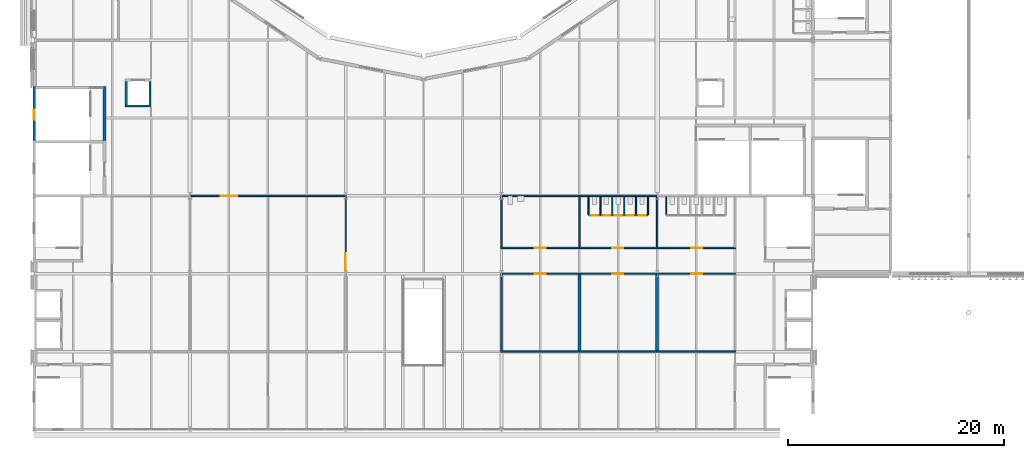
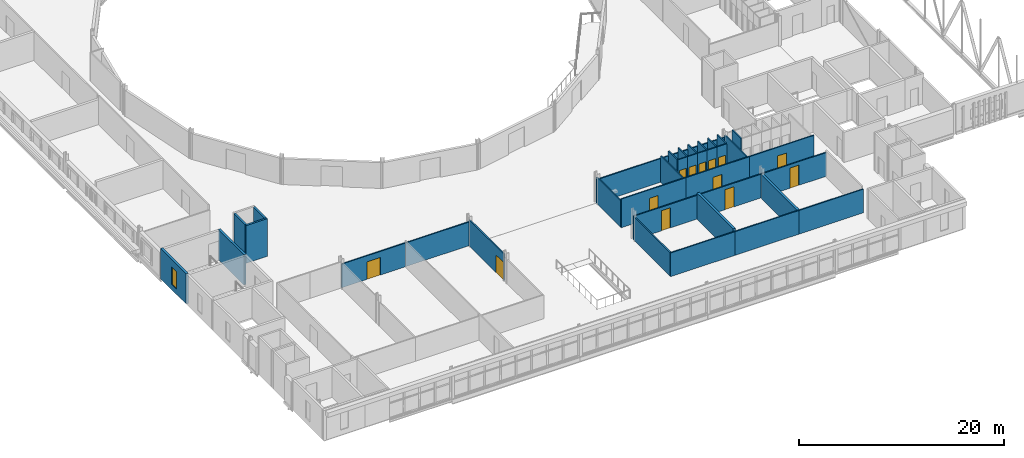
# One storey, part 88 of 142: 37 walls, 13 doors, 1 window, 14 openings.
"""IFC4 building model written with IfcOpenShell, lengths in metres."""

import ifcopenshell
import ifcopenshell.guid

model = None  # the IFC model being written
_history = None  # IfcOwnerHistory: only IFC2X3 demands one
_inside = {}  # id of a spatial element -> (the spatial element, [elements in it])
_under = {}  # id of a project, library or spatial element -> (it, [spatial elements below it])
_declared = {}  # id of a project -> (the project, [libraries it declares])
_typed = {}  # id of a type object -> (the type object, [elements of that type])
_made_of = {}  # id of a material, layer set ... -> (it, [elements and type objects made of it])


def new_model(schema):
    """Start an empty IFC model of exactly this schema.

    Asked for "IFC4X3", IfcOpenShell would pick the latest addendum, in which some entities
    have other attributes; the version numbers below select the first issue.
    IFC2X3 requires an IfcOwnerHistory on every rooted entity: one is made here for all.
    """
    global model, _history
    if schema == "IFC4X3":
        model = ifcopenshell.file(schema_version=(4, 3, 0, 0))
    else:
        model = ifcopenshell.file(schema=schema)
    _inside.clear()
    _under.clear()
    _declared.clear()
    _typed.clear()
    _made_of.clear()
    _history = None
    if model.schema == "IFC2X3":
        org = make("IfcOrganization", Name="unknown")
        user = make(
            "IfcPersonAndOrganization",
            ThePerson=make("IfcPerson", FamilyName="unknown"),
            TheOrganization=org,
        )
        app = make(
            "IfcApplication",
            ApplicationDeveloper=org,
            Version="unknown",
            ApplicationFullName="unknown",
            ApplicationIdentifier="unknown",
        )
        _history = make(
            "IfcOwnerHistory",
            OwningUser=user,
            OwningApplication=app,
            ChangeAction="ADDED",
            CreationDate=0,
        )
    return model


def make(cls, **values):
    """One entity of the class cls with the attributes given. An attribute that is None is left unset."""
    return model.create_entity(
        cls, **{name: value for name, value in values.items() if value is not None}
    )


def rooted(cls, **values):
    """An entity with a GlobalId (a new one), such as an element, a storey or a relation."""
    return make(cls, GlobalId=ifcopenshell.guid.new(), OwnerHistory=_history, **values)


def si_unit(unit_type, name, prefix=None):
    """IfcSIUnit, for example si_unit("LENGTHUNIT", "METRE", prefix="MILLI")."""
    return make("IfcSIUnit", UnitType=unit_type, Prefix=prefix, Name=name)


def assignment(units):
    """IfcUnitAssignment: the units of a project."""
    return None if units is None else make("IfcUnitAssignment", Units=units)


def point(xyz):
    """IfcCartesianPoint."""
    return None if xyz is None else make("IfcCartesianPoint", Coordinates=xyz)


def direction(xyz):
    """IfcDirection."""
    return None if xyz is None else make("IfcDirection", DirectionRatios=xyz)


def frame(location, z_axis=None, x_axis=None):
    """IfcAxis2Placement3D, a coordinate frame: its origin and axes. An axis left out is left unset."""
    return make(
        "IfcAxis2Placement3D",
        Location=point(location),
        Axis=direction(z_axis),
        RefDirection=direction(x_axis),
    )


def frame_2d(location, x_axis=None):
    """IfcAxis2Placement2D, a coordinate frame in the plane: its origin and x axis."""
    return make(
        "IfcAxis2Placement2D", Location=point(location), RefDirection=direction(x_axis)
    )


def origin():
    """The frame at (0, 0, 0) with its axes left unset."""
    return frame((0.0, 0.0, 0.0))


def place(relative_to, where):
    """IfcLocalPlacement: puts the frame where relative to a parent placement (None: the world)."""
    return make(
        "IfcLocalPlacement", PlacementRelTo=relative_to, RelativePlacement=where
    )


def context(
    kind, dimensions, precision=None, world=None, true_north=None, identifier=None
):
    """IfcGeometricRepresentationContext, for example the 3D "Model" context."""
    return make(
        "IfcGeometricRepresentationContext",
        ContextIdentifier=identifier,
        ContextType=kind,
        CoordinateSpaceDimension=dimensions,
        Precision=precision,
        WorldCoordinateSystem=world,
        TrueNorth=true_north,
    )


def subcontext(parent, identifier, kind, view, scale=None):
    """IfcGeometricRepresentationSubContext, for example "Body" below "Model"."""
    return make(
        "IfcGeometricRepresentationSubContext",
        ContextIdentifier=identifier,
        ContextType=kind,
        ParentContext=parent,
        TargetScale=scale,
        TargetView=view,
    )


def project(units=None, contexts=None):
    """IfcProject with its units and contexts."""
    return rooted(
        "IfcProject",
        Name="project",
        RepresentationContexts=contexts,
        UnitsInContext=assignment(units),
    )


def spatial(cls, under=None, at=None, **own):
    """A site, building, storey or space (cls), placed at a placement, below another one or the project."""
    s = rooted(cls, ObjectPlacement=at, **own)
    if under is not None:
        _under.setdefault(under.id(), (under, []))[1].append(s)
    return s


def profile(cls, at=None, kind="AREA", **sizes):
    """A parametric profile (cls). Its sizes go by their IFC names, for example OverallWidth=200.0."""
    return make(cls, ProfileType=kind, Position=at, **sizes)


def rectangle(**sizes):
    """IfcRectangleProfileDef."""
    return profile("IfcRectangleProfileDef", **sizes)


def extrude(swept, where, along, depth):
    """IfcExtrudedAreaSolid: the profile swept, set in the frame where, extruded along a direction by depth."""
    return make(
        "IfcExtrudedAreaSolid",
        SweptArea=swept,
        Position=where,
        ExtrudedDirection=direction(along),
        Depth=depth,
    )


def shape(context_of_items, identifier, shape_type, items):
    """IfcShapeRepresentation: the items that make up one representation, for example the "Body"."""
    return make(
        "IfcShapeRepresentation",
        ContextOfItems=context_of_items,
        RepresentationIdentifier=identifier,
        RepresentationType=shape_type,
        Items=items,
    )


def material(Name=None, Category=None):
    """IfcMaterial."""
    return make("IfcMaterial", Name=Name, Category=Category)


def layer(
    of_material, thickness, ventilated=None, Name=None, Category=None, Priority=None
):
    """IfcMaterialLayer: one layer of a wall or slab, of a material (None: an air gap)."""
    return make(
        "IfcMaterialLayer",
        Material=of_material,
        LayerThickness=thickness,
        IsVentilated=ventilated,
        Name=Name,
        Category=Category,
        Priority=Priority,
    )


def layer_set(layers, Name=None):
    """IfcMaterialLayerSet."""
    return make("IfcMaterialLayerSet", MaterialLayers=layers, LayerSetName=Name)


def made_of(thing, what):
    """Note that an element or type object is made of a material, layer set ...; save() writes the relation."""
    if what is not None:
        _made_of.setdefault(what.id(), (what, []))[1].append(thing)
    return thing


def type_object(cls, material=None, **own):
    """A type object (cls), such as IfcWallType, which elements share."""
    return made_of(rooted(cls, **own), material)


def element(
    cls,
    number,
    at=None,
    inside=None,
    cuts=None,
    type_object=None,
    material=None,
    context=None,
    identifier="Body",
    shape_type=None,
    held_by="IfcProductDefinitionShape",
    body=None,
    shapes=None,
    **own,
):
    """One element of the class cls, such as IfcWall. Its Tag is "e" and its number.

    at: its placement. inside: the storey or other place that contains it. cuts: it is an
    opening in that element (IfcRelVoidsElement). A single representation is given by context,
    identifier, shape_type and body (its items); several are given by shapes. held_by: the class
    of the entity that holds the representations. save() writes the other relations.
    """
    e = rooted(cls, Tag="e%d" % number, ObjectPlacement=at, **own)
    if body is not None:
        shapes = [shape(context, identifier, shape_type, body)]
    if shapes is not None:
        e.Representation = make(held_by, Representations=shapes)
    if inside is not None:
        _inside.setdefault(inside.id(), (inside, []))[1].append(e)
    if cuts is not None:
        rooted(
            "IfcRelVoidsElement", RelatingBuildingElement=cuts, RelatedOpeningElement=e
        )
    if type_object is not None:
        _typed.setdefault(type_object.id(), (type_object, []))[1].append(e)
    return made_of(e, material)


def fill(opening, filler):
    """IfcRelFillsElement: the door or window that sits in an opening."""
    return rooted(
        "IfcRelFillsElement",
        RelatingOpeningElement=opening,
        RelatedBuildingElement=filler,
    )


def aggregate(whole, parts):
    """IfcRelAggregates: a whole, such as a stair, and the parts it consists of."""
    return rooted("IfcRelAggregates", RelatingObject=whole, RelatedObjects=parts)


def save(model, path):
    """Write the relations noted so far, then the file.

    IfcRelAggregates (storeys below a building ...), IfcRelContainedInSpatialStructure (elements
    in a storey), IfcRelDefinesByType, IfcRelAssociatesMaterial and IfcRelDeclares: one each for
    every whole, place, type object, material and project.
    """
    for whole, parts in _under.values():
        aggregate(whole, parts)
    for where, things in _inside.values():
        rooted(
            "IfcRelContainedInSpatialStructure",
            RelatedElements=things,
            RelatingStructure=where,
        )
    for kind, things in _typed.values():
        rooted("IfcRelDefinesByType", RelatedObjects=things, RelatingType=kind)
    for what, things in _made_of.values():
        rooted("IfcRelAssociatesMaterial", RelatedObjects=things, RelatingMaterial=what)
    for by, libraries in _declared.values():
        rooted("IfcRelDeclares", RelatingContext=by, RelatedDefinitions=libraries)
    model.write(path)


model = new_model("IFC4")

# Units and contexts
model_context = context("Model", 3, precision=1e-05, world=origin(), true_north=direction((0.0, 1.0)))
body_context = subcontext(model_context, "Body", "Model", "MODEL_VIEW")
ifc_project = project(units=[si_unit("LENGTHUNIT", "METRE"), si_unit("AREAUNIT", "SQUARE_METRE"), si_unit("VOLUMEUNIT", "CUBIC_METRE"), si_unit("PLANEANGLEUNIT", "RADIAN"), si_unit("MASSUNIT", "GRAM", prefix="KILO")], contexts=[model_context])

# Site, building, storey
site_placement = place(None, origin())
site = spatial("IfcSite", under=ifc_project, at=site_placement, CompositionType="ELEMENT")
building_placement = place(site_placement, origin())
building = spatial("IfcBuilding", under=site, at=building_placement, Name="Kupolbacken Congress Centre", CompositionType="ELEMENT")
storey_placement = place(building_placement, frame((0.0, 0.0, 14.39990234375)))
storey = spatial("IfcBuildingStorey", under=building, at=storey_placement, Name="L04", CompositionType="ELEMENT", Elevation=14.39990234375)

# Wall, opening, door
ifc_material_1 = material(Name="Gypsum board", Category="drywall")
ifc_layer_1 = layer(ifc_material_1, 0.114990234375)
ifc_layer_set_1 = layer_set([ifc_layer_1], Name="Gypsum board")
wall_type_1 = type_object("IfcWallType", Name="P04 partition 115", PredefinedType="PARTITIONING", material=ifc_layer_set_1)
wall_1_placement = place(storey_placement, frame((58.449951171875, 48.60009765625, 0.0), z_axis=(0.0, 0.0, 1.0), x_axis=(1.0, 0.0, 0.0)))
wall_1 = element("IfcWall", 1, at=wall_1_placement, inside=storey, type_object=wall_type_1, Name="PD/L04/F-WC-02/cub01/F", PredefinedType="PARTITIONING", context=body_context, shape_type="SweptSolid", body=[
    extrude(rectangle(XDim=1.10009765625, YDim=0.114990234375, at=frame_2d((0.550048828125, 0.0))), origin(), (0.0, 0.0, 1.0), 3.420166015625),
])
opening_1_placement = place(wall_1_placement, frame((0.14990234375, 0.0, 0.0)))
opening_1 = element("IfcOpeningElement", 2, at=opening_1_placement, cuts=wall_1, Name="Opening 4.WF95", PredefinedType="OPENING", context=body_context, shape_type="SweptSolid", body=[
    extrude(rectangle(XDim=0.800048828125, YDim=2.10009765625, at=frame_2d((0.39990234375, 1.050048828125))), frame((0.0, 0.0673828125, 0.0), z_axis=(0.0, -1.0, 0.0), x_axis=(1.0, 0.0, 0.0)), (0.0, 0.0, 1.0), 0.135009765625),
])
ifc_material_2 = material(Name="Timber door leaf", Category="wood")
door_type_1 = type_object("IfcDoorType", Name="D2 door 800x2100", OperationType="SINGLE_SWING_LEFT", PredefinedType="DOOR", material=ifc_material_2)
door_1_placement = place(opening_1_placement, origin())
door_1 = element("IfcDoor", 3, at=door_1_placement, inside=storey, type_object=door_type_1, Name="PD/L04/F-WC-02/cub01/F/DC", OperationType="SINGLE_SWING_RIGHT", OverallHeight=2.10009765625, OverallWidth=0.800048828125, PredefinedType="DOOR", context=body_context, shape_type="SweptSolid", body=[
    extrude(rectangle(XDim=0.800048828125, YDim=2.10009765625, at=frame_2d((0.39990234375, 1.050048828125))), frame((0.0, 0.02490234375, 0.0), z_axis=(0.0, -1.0, 0.0), x_axis=(1.0, 0.0, 0.0)), (0.0, 0.0, 1.0), 0.050048828125),
])
fill(opening_1, door_1)

# Wall
wall_2_placement = place(storey_placement, frame((58.449951171875, 50.342529296875, 0.0), z_axis=(0.0, 0.0, 1.0), x_axis=(0.0, -1.0, 0.0)))
element("IfcWall", 4, at=wall_2_placement, inside=storey, type_object=wall_type_1, Name="PD/L04/F-WC-02/cub01/a", PredefinedType="PARTITIONING", context=body_context, shape_type="SweptSolid", body=[
    extrude(rectangle(XDim=1.68505859375, YDim=0.114990234375, at=frame_2d((0.842529296875, 0.0))), origin(), (0.0, 0.0, 1.0), 3.420166015625),
])

# Wall, opening, door
wall_3_placement = place(storey_placement, frame((59.550048828125, 48.60009765625, 0.0), z_axis=(0.0, 0.0, 1.0), x_axis=(1.0, 0.0, 0.0)))
wall_3 = element("IfcWall", 5, at=wall_3_placement, inside=storey, type_object=wall_type_1, Name="PD/L04/F-WC-02/cub02/F", PredefinedType="PARTITIONING", context=body_context, shape_type="SweptSolid", body=[
    extrude(rectangle(XDim=1.099853515625, YDim=0.114990234375, at=frame_2d((0.5498046875, 0.0))), origin(), (0.0, 0.0, 1.0), 3.420166015625),
])
opening_2_placement = place(wall_3_placement, frame((0.14990234375, 0.0, 0.0)))
opening_2 = element("IfcOpeningElement", 6, at=opening_2_placement, cuts=wall_3, Name="Opening 4.WF96", PredefinedType="OPENING", context=body_context, shape_type="SweptSolid", body=[
    extrude(rectangle(XDim=0.800048828125, YDim=2.10009765625, at=frame_2d((0.39990234375, 1.050048828125))), frame((0.0, 0.0673828125, 0.0), z_axis=(0.0, -1.0, 0.0), x_axis=(1.0, 0.0, 0.0)), (0.0, 0.0, 1.0), 0.135009765625),
])
door_2_placement = place(opening_2_placement, origin())
door_2 = element("IfcDoor", 7, at=door_2_placement, inside=storey, type_object=door_type_1, Name="PD/L04/F-WC-02/cub02/F/DC", OperationType="SINGLE_SWING_RIGHT", OverallHeight=2.10009765625, OverallWidth=0.800048828125, PredefinedType="DOOR", context=body_context, shape_type="SweptSolid", body=[
    extrude(rectangle(XDim=0.800048828125, YDim=2.10009765625, at=frame_2d((0.39990234375, 1.050048828125))), frame((0.0, 0.02490234375, 0.0), z_axis=(0.0, -1.0, 0.0), x_axis=(1.0, 0.0, 0.0)), (0.0, 0.0, 1.0), 0.050048828125),
])
fill(opening_2, door_2)

# Wall
wall_4_placement = place(storey_placement, frame((59.550048828125, 50.342529296875, 0.0), z_axis=(0.0, 0.0, 1.0), x_axis=(0.0, -1.0, 0.0)))
element("IfcWall", 8, at=wall_4_placement, inside=storey, type_object=wall_type_1, Name="PD/L04/F-WC-02/cub02/a", PredefinedType="PARTITIONING", context=body_context, shape_type="SweptSolid", body=[
    extrude(rectangle(XDim=1.68505859375, YDim=0.114990234375, at=frame_2d((0.842529296875, 0.0))), origin(), (0.0, 0.0, 1.0), 3.420166015625),
])

# Wall, opening, door
wall_5_placement = place(storey_placement, frame((60.64990234375, 48.60009765625, 0.0), z_axis=(0.0, 0.0, 1.0), x_axis=(1.0, 0.0, 0.0)))
wall_5 = element("IfcWall", 9, at=wall_5_placement, inside=storey, type_object=wall_type_1, Name="PD/L04/F-WC-02/cub03/F", PredefinedType="PARTITIONING", context=body_context, shape_type="SweptSolid", body=[
    extrude(rectangle(XDim=1.10009765625, YDim=0.114990234375, at=frame_2d((0.550048828125, 0.0))), origin(), (0.0, 0.0, 1.0), 3.420166015625),
])
opening_3_placement = place(wall_5_placement, frame((0.14990234375, 0.0, 0.0)))
opening_3 = element("IfcOpeningElement", 10, at=opening_3_placement, cuts=wall_5, Name="Opening 4.WF97", PredefinedType="OPENING", context=body_context, shape_type="SweptSolid", body=[
    extrude(rectangle(XDim=0.800048828125, YDim=2.10009765625, at=frame_2d((0.39990234375, 1.050048828125))), frame((0.0, 0.0673828125, 0.0), z_axis=(0.0, -1.0, 0.0), x_axis=(1.0, 0.0, 0.0)), (0.0, 0.0, 1.0), 0.135009765625),
])
door_3_placement = place(opening_3_placement, origin())
door_3 = element("IfcDoor", 11, at=door_3_placement, inside=storey, type_object=door_type_1, Name="PD/L04/F-WC-02/cub03/F/DC", OperationType="SINGLE_SWING_RIGHT", OverallHeight=2.10009765625, OverallWidth=0.800048828125, PredefinedType="DOOR", context=body_context, shape_type="SweptSolid", body=[
    extrude(rectangle(XDim=0.800048828125, YDim=2.10009765625, at=frame_2d((0.39990234375, 1.050048828125))), frame((0.0, 0.02490234375, 0.0), z_axis=(0.0, -1.0, 0.0), x_axis=(1.0, 0.0, 0.0)), (0.0, 0.0, 1.0), 0.050048828125),
])
fill(opening_3, door_3)

# Wall
wall_6_placement = place(storey_placement, frame((60.64990234375, 50.342529296875, 0.0), z_axis=(0.0, 0.0, 1.0), x_axis=(0.0, -1.0, 0.0)))
element("IfcWall", 12, at=wall_6_placement, inside=storey, type_object=wall_type_1, Name="PD/L04/F-WC-02/cub03/a", PredefinedType="PARTITIONING", context=body_context, shape_type="SweptSolid", body=[
    extrude(rectangle(XDim=1.68505859375, YDim=0.114990234375, at=frame_2d((0.842529296875, 0.0))), origin(), (0.0, 0.0, 1.0), 3.420166015625),
])

# Wall, opening, door
wall_7_placement = place(storey_placement, frame((61.75, 48.60009765625, 0.0), z_axis=(0.0, 0.0, 1.0), x_axis=(1.0, 0.0, 0.0)))
wall_7 = element("IfcWall", 13, at=wall_7_placement, inside=storey, type_object=wall_type_1, Name="PD/L04/F-WC-02/cub04/F", PredefinedType="PARTITIONING", context=body_context, shape_type="SweptSolid", body=[
    extrude(rectangle(XDim=1.10009765625, YDim=0.114990234375, at=frame_2d((0.550048828125, 0.0))), origin(), (0.0, 0.0, 1.0), 3.420166015625),
])
opening_4_placement = place(wall_7_placement, frame((0.14990234375, 0.0, 0.0)))
opening_4 = element("IfcOpeningElement", 14, at=opening_4_placement, cuts=wall_7, Name="Opening 4.WF98", PredefinedType="OPENING", context=body_context, shape_type="SweptSolid", body=[
    extrude(rectangle(XDim=0.800048828125, YDim=2.10009765625, at=frame_2d((0.39990234375, 1.050048828125))), frame((0.0, 0.0673828125, 0.0), z_axis=(0.0, -1.0, 0.0), x_axis=(1.0, 0.0, 0.0)), (0.0, 0.0, 1.0), 0.135009765625),
])
door_4_placement = place(opening_4_placement, origin())
door_4 = element("IfcDoor", 15, at=door_4_placement, inside=storey, type_object=door_type_1, Name="PD/L04/F-WC-02/cub04/F/DC", OperationType="SINGLE_SWING_LEFT", OverallHeight=2.10009765625, OverallWidth=0.800048828125, PredefinedType="DOOR", context=body_context, shape_type="SweptSolid", body=[
    extrude(rectangle(XDim=0.800048828125, YDim=2.10009765625, at=frame_2d((0.39990234375, 1.050048828125))), frame((0.0, 0.02490234375, 0.0), z_axis=(0.0, -1.0, 0.0), x_axis=(1.0, 0.0, 0.0)), (0.0, 0.0, 1.0), 0.050048828125),
])
fill(opening_4, door_4)

# Wall
wall_8_placement = place(storey_placement, frame((61.75, 50.342529296875, 0.0), z_axis=(0.0, 0.0, 1.0), x_axis=(0.0, -1.0, 0.0)))
element("IfcWall", 16, at=wall_8_placement, inside=storey, type_object=wall_type_1, Name="PD/L04/F-WC-02/cub04/a", PredefinedType="PARTITIONING", context=body_context, shape_type="SweptSolid", body=[
    extrude(rectangle(XDim=1.68505859375, YDim=0.114990234375, at=frame_2d((0.842529296875, 0.0))), origin(), (0.0, 0.0, 1.0), 3.420166015625),
])

# Wall, opening, door
wall_9_placement = place(storey_placement, frame((62.85009765625, 48.60009765625, 0.0), z_axis=(0.0, 0.0, 1.0), x_axis=(1.0, 0.0, 0.0)))
wall_9 = element("IfcWall", 17, at=wall_9_placement, inside=storey, type_object=wall_type_1, Name="PD/L04/F-WC-02/cub05/F", PredefinedType="PARTITIONING", context=body_context, shape_type="SweptSolid", body=[
    extrude(rectangle(XDim=1.099853515625, YDim=0.114990234375, at=frame_2d((0.5498046875, 0.0))), origin(), (0.0, 0.0, 1.0), 3.420166015625),
])
opening_5_placement = place(wall_9_placement, frame((0.14990234375, 0.0, 0.0)))
opening_5 = element("IfcOpeningElement", 18, at=opening_5_placement, cuts=wall_9, Name="Opening 4.WF99", PredefinedType="OPENING", context=body_context, shape_type="SweptSolid", body=[
    extrude(rectangle(XDim=0.800048828125, YDim=2.10009765625, at=frame_2d((0.39990234375, 1.050048828125))), frame((0.0, 0.0673828125, 0.0), z_axis=(0.0, -1.0, 0.0), x_axis=(1.0, 0.0, 0.0)), (0.0, 0.0, 1.0), 0.135009765625),
])
door_5_placement = place(opening_5_placement, origin())
door_5 = element("IfcDoor", 19, at=door_5_placement, inside=storey, type_object=door_type_1, Name="PD/L04/F-WC-02/cub05/F/DC", OperationType="SINGLE_SWING_RIGHT", OverallHeight=2.10009765625, OverallWidth=0.800048828125, PredefinedType="DOOR", context=body_context, shape_type="SweptSolid", body=[
    extrude(rectangle(XDim=0.800048828125, YDim=2.10009765625, at=frame_2d((0.39990234375, 1.050048828125))), frame((0.0, 0.02490234375, 0.0), z_axis=(0.0, -1.0, 0.0), x_axis=(1.0, 0.0, 0.0)), (0.0, 0.0, 1.0), 0.050048828125),
])
fill(opening_5, door_5)

# Walls
for number, where, z_axis, x_axis, name in (
    (20, (62.85009765625, 50.342529296875, 0.0), (0.0, 0.0, 1.0), (0.0, -1.0, 0.0), "PD/L04/F-WC-02/cub05/a"),
    (21, (63.949951171875, 50.342529296875, 0.0), (0.0, 0.0, 1.0), (0.0, -1.0, 0.0), "PD/L04/F-WC-02/cub05/b"),
    (22, (65.64990234375, 50.342529296875, 0.0), (0.0, 0.0, 1.0), (0.0, -1.0, 0.0), "PD/L04/F-WC-03/cub01/a"),
):
    element("IfcWall", number, at=place(storey_placement, frame(where, z_axis=z_axis, x_axis=x_axis)), inside=storey, type_object=wall_type_1, Name=name, PredefinedType="PARTITIONING", context=body_context, shape_type="SweptSolid", body=[
        extrude(rectangle(XDim=1.68505859375, YDim=0.114990234375, at=frame_2d((0.842529296875, 0.0))), origin(), (0.0, 0.0, 1.0), 3.420166015625),
    ])

# Wall, opening, door
ifc_material_3 = material(Name="Gypsum board", Category="drywall")
ifc_layer_2 = layer(ifc_material_3, 0.135009765625)
ifc_layer_set_2 = layer_set([ifc_layer_2], Name="Gypsum board")
wall_type_2 = type_object("IfcWallType", Name="P06 compartment wall 135", PredefinedType="PARTITIONING", material=ifc_layer_set_2)
wall_10_placement = place(storey_placement, frame((21.60009765625, 50.39990234375, 0.0), z_axis=(0.0, 0.0, 1.0), x_axis=(1.0, 0.0, 0.0)))
wall_10 = element("IfcWall", 23, at=wall_10_placement, inside=storey, type_object=wall_type_2, Name="PD/L04/W024", PredefinedType="PARTITIONING", context=body_context, shape_type="SweptSolid", body=[
    extrude(rectangle(XDim=7.199951171875, YDim=0.135009765625, at=frame_2d((3.60009765625, 0.0))), origin(), (0.0, 0.0, 1.0), 2.820068359375),
])
opening_6_placement = place(wall_10_placement, frame((2.85009765625, 0.0, 0.0)))
opening_6 = element("IfcOpeningElement", 24, at=opening_6_placement, cuts=wall_10, Name="Opening 4.F08", PredefinedType="OPENING", context=body_context, shape_type="SweptSolid", body=[
    extrude(rectangle(XDim=1.5, YDim=2.10009765625, at=frame_2d((0.75, 1.050048828125))), frame((0.0, 0.077392578125, 0.0), z_axis=(0.0, -1.0, 0.0), x_axis=(1.0, 0.0, 0.0)), (0.0, 0.0, 1.0), 0.155029296875),
])
ifc_material_4 = material(Name="Steel fire door leaf", Category="steel")
door_type_2 = type_object("IfcDoorType", Name="D12 fire door 1500x2100", OperationType="DOUBLE_DOOR_SINGLE_SWING", PredefinedType="DOOR", material=ifc_material_4)
door_6_placement = place(opening_6_placement, origin())
door_6 = element("IfcDoor", 25, at=door_6_placement, inside=storey, type_object=door_type_2, Name="PD/L04/W024/D4F08", OperationType="DOUBLE_DOOR_SINGLE_SWING", OverallHeight=2.10009765625, OverallWidth=1.5, PredefinedType="DOOR", context=body_context, shape_type="SweptSolid", body=[
    extrude(rectangle(XDim=1.5, YDim=2.10009765625, at=frame_2d((0.75, 1.050048828125))), frame((0.0, 0.02490234375, 0.0), z_axis=(0.0, -1.0, 0.0), x_axis=(1.0, 0.0, 0.0)), (0.0, 0.0, 1.0), 0.050048828125),
])
fill(opening_6, door_6)

wall_11_placement = place(storey_placement, frame((36.0, 50.33251953125, 0.0), z_axis=(0.0, 0.0, 1.0), x_axis=(0.0, -1.0, 0.0)))
wall_11 = element("IfcWall", 26, at=wall_11_placement, inside=storey, type_object=wall_type_2, Name="PD/L04/W025", PredefinedType="PARTITIONING", context=body_context, shape_type="SweptSolid", body=[
    extrude(rectangle(XDim=6.83251953125, YDim=0.135009765625, at=frame_2d((3.416259765625, 0.0))), origin(), (0.0, 0.0, 1.0), 3.1201171875),
])
opening_7_placement = place(wall_11_placement, frame((5.25, 0.0, 0.0)))
opening_7 = element("IfcOpeningElement", 27, at=opening_7_placement, cuts=wall_11, Name="Opening 4.F09", PredefinedType="OPENING", context=body_context, shape_type="SweptSolid", body=[
    extrude(rectangle(XDim=1.5, YDim=2.10009765625, at=frame_2d((0.75, 1.050048828125))), frame((0.0, 0.077392578125, 0.0), z_axis=(0.0, -1.0, 0.0), x_axis=(1.0, 0.0, 0.0)), (0.0, 0.0, 1.0), 0.155029296875),
])
door_7_placement = place(opening_7_placement, origin())
door_7 = element("IfcDoor", 28, at=door_7_placement, inside=storey, type_object=door_type_2, Name="PD/L04/W025/D4F09", OperationType="DOUBLE_DOOR_SINGLE_SWING", OverallHeight=2.10009765625, OverallWidth=1.5, PredefinedType="DOOR", context=body_context, shape_type="SweptSolid", body=[
    extrude(rectangle(XDim=1.5, YDim=2.10009765625, at=frame_2d((0.75, 1.050048828125))), frame((0.0, 0.02490234375, 0.0), z_axis=(0.0, -1.0, 0.0), x_axis=(1.0, 0.0, 0.0)), (0.0, 0.0, 1.0), 0.050048828125),
])
fill(opening_7, door_7)

# Walls
wall_12_placement = place(storey_placement, frame((28.800048828125, 50.39990234375, 0.0), z_axis=(0.0, 0.0, 1.0), x_axis=(1.0, 0.0, 0.0)))
element("IfcWall", 29, at=wall_12_placement, inside=storey, type_object=wall_type_2, Name="PD/L04/W027", PredefinedType="PARTITIONING", context=body_context, shape_type="SweptSolid", body=[
    extrude(rectangle(XDim=7.267333984375, YDim=0.135009765625, at=frame_2d((3.6337890625, 0.0))), origin(), (0.0, 0.0, 1.0), 2.820068359375),
])
wall_13_placement = place(storey_placement, frame((50.39990234375, 43.132568359375, 0.0), z_axis=(0.0, 0.0, 1.0), x_axis=(0.0, -1.0, 0.0)))
element("IfcWall", 30, at=wall_13_placement, inside=storey, type_object=wall_type_2, Name="PD/L04/W028", PredefinedType="PARTITIONING", context=body_context, shape_type="SweptSolid", body=[
    extrude(rectangle(XDim=7.065185546875, YDim=0.135009765625, at=frame_2d((3.53271484375, 0.0))), origin(), (0.0, 0.0, 1.0), 2.820068359375),
])
wall_14_placement = place(storey_placement, frame((50.39990234375, 50.33251953125, 0.0), z_axis=(0.0, 0.0, 1.0), x_axis=(0.0, -1.0, 0.0)))
element("IfcWall", 31, at=wall_14_placement, inside=storey, type_object=wall_type_2, Name="PD/L04/W029", PredefinedType="PARTITIONING", context=body_context, shape_type="SweptSolid", body=[
    extrude(rectangle(XDim=4.6650390625, YDim=0.135009765625, at=frame_2d((2.33251953125, 0.0))), origin(), (0.0, 0.0, 1.0), 3.1201171875),
])

# Wall, opening, door
wall_15_placement = place(storey_placement, frame((50.33251953125, 43.199951171875, 0.0), z_axis=(0.0, 0.0, 1.0), x_axis=(1.0, 0.0, 0.0)))
wall_15 = element("IfcWall", 32, at=wall_15_placement, inside=storey, type_object=wall_type_2, Name="PD/L04/W031", PredefinedType="PARTITIONING", context=body_context, shape_type="SweptSolid", body=[
    extrude(rectangle(XDim=7.267578125, YDim=0.135009765625, at=frame_2d((3.6337890625, 0.0))), origin(), (0.0, 0.0, 1.0), 2.820068359375),
])
opening_8_placement = place(wall_15_placement, frame((3.14990234375, 0.0, 0.0)))
opening_8 = element("IfcOpeningElement", 33, at=opening_8_placement, cuts=wall_15, Name="Opening 4.F10", PredefinedType="OPENING", context=body_context, shape_type="SweptSolid", body=[
    extrude(rectangle(XDim=1.0, YDim=2.39990234375, at=frame_2d((0.5, 1.199951171875))), frame((0.0, 0.077392578125, 0.0), z_axis=(0.0, -1.0, 0.0), x_axis=(1.0, 0.0, 0.0)), (0.0, 0.0, 1.0), 0.155029296875),
])
ifc_material_5 = material(Name="Steel fire door leaf", Category="steel")
door_type_3 = type_object("IfcDoorType", Name="D8 fire door 1000x2400", OperationType="SINGLE_SWING_LEFT", PredefinedType="DOOR", material=ifc_material_5)
door_8_placement = place(opening_8_placement, frame((1.0, 0.0, 0.0), z_axis=(0.0, 0.0, 1.0), x_axis=(-1.0, 0.0, 0.0)))
door_8 = element("IfcDoor", 34, at=door_8_placement, inside=storey, type_object=door_type_3, Name="PD/L04/W031/D4F10", OperationType="SINGLE_SWING_RIGHT", OverallHeight=2.39990234375, OverallWidth=1.0, PredefinedType="DOOR", context=body_context, shape_type="SweptSolid", body=[
    extrude(rectangle(XDim=1.0, YDim=2.39990234375, at=frame_2d((0.5, 1.199951171875))), frame((0.0, 0.02490234375, 0.0), z_axis=(0.0, -1.0, 0.0), x_axis=(1.0, 0.0, 0.0)), (0.0, 0.0, 1.0), 0.050048828125),
])
fill(opening_8, door_8)

# Wall
wall_16_placement = place(storey_placement, frame((57.60009765625, 36.0, 0.0), z_axis=(0.0, 0.0, 1.0), x_axis=(-1.0, 0.0, 0.0)))
element("IfcWall", 35, at=wall_16_placement, inside=storey, type_object=wall_type_2, Name="PD/L04/W032", PredefinedType="PARTITIONING", context=body_context, shape_type="SweptSolid", body=[
    extrude(rectangle(XDim=7.267578125, YDim=0.135009765625, at=frame_2d((3.6337890625, 0.0))), origin(), (0.0, 0.0, 1.0), 2.820068359375),
])

# Wall, opening, door
wall_17_placement = place(storey_placement, frame((57.60009765625, 43.199951171875, 0.0), z_axis=(0.0, 0.0, 1.0), x_axis=(1.0, 0.0, 0.0)))
wall_17 = element("IfcWall", 36, at=wall_17_placement, inside=storey, type_object=wall_type_2, Name="PD/L04/W034", PredefinedType="PARTITIONING", context=body_context, shape_type="SweptSolid", body=[
    extrude(rectangle(XDim=7.199951171875, YDim=0.135009765625, at=frame_2d((3.60009765625, 0.0))), origin(), (0.0, 0.0, 1.0), 2.820068359375),
])
opening_9_placement = place(wall_17_placement, frame((3.050048828125, 0.0, 0.0)))
opening_9 = element("IfcOpeningElement", 37, at=opening_9_placement, cuts=wall_17, Name="Opening 4.F11", PredefinedType="OPENING", context=body_context, shape_type="SweptSolid", body=[
    extrude(rectangle(XDim=1.0, YDim=2.39990234375, at=frame_2d((0.5, 1.199951171875))), frame((0.0, 0.077392578125, 0.0), z_axis=(0.0, -1.0, 0.0), x_axis=(1.0, 0.0, 0.0)), (0.0, 0.0, 1.0), 0.155029296875),
])
door_9_placement = place(opening_9_placement, frame((1.0, 0.0, 0.0), z_axis=(0.0, 0.0, 1.0), x_axis=(-1.0, 0.0, 0.0)))
door_9 = element("IfcDoor", 38, at=door_9_placement, inside=storey, type_object=door_type_3, Name="PD/L04/W034/D4F11", OperationType="SINGLE_SWING_LEFT", OverallHeight=2.39990234375, OverallWidth=1.0, PredefinedType="DOOR", context=body_context, shape_type="SweptSolid", body=[
    extrude(rectangle(XDim=1.0, YDim=2.39990234375, at=frame_2d((0.5, 1.199951171875))), frame((0.0, 0.02490234375, 0.0), z_axis=(0.0, -1.0, 0.0), x_axis=(1.0, 0.0, 0.0)), (0.0, 0.0, 1.0), 0.050048828125),
])
fill(opening_9, door_9)

# Wall
wall_18_placement = place(storey_placement, frame((64.800048828125, 36.0, 0.0), z_axis=(0.0, 0.0, 1.0), x_axis=(-1.0, 0.0, 0.0)))
element("IfcWall", 39, at=wall_18_placement, inside=storey, type_object=wall_type_2, Name="PD/L04/W035", PredefinedType="PARTITIONING", context=body_context, shape_type="SweptSolid", body=[
    extrude(rectangle(XDim=7.199951171875, YDim=0.135009765625, at=frame_2d((3.60009765625, 0.0))), origin(), (0.0, 0.0, 1.0), 2.820068359375),
])

# Wall, opening, door
wall_19_placement = place(storey_placement, frame((64.800048828125, 43.199951171875, 0.0), z_axis=(0.0, 0.0, 1.0), x_axis=(1.0, 0.0, 0.0)))
wall_19 = element("IfcWall", 40, at=wall_19_placement, inside=storey, type_object=wall_type_2, Name="PD/L04/W036", PredefinedType="PARTITIONING", context=body_context, shape_type="SweptSolid", body=[
    extrude(rectangle(XDim=7.267333984375, YDim=0.135009765625, at=frame_2d((3.6337890625, 0.0))), origin(), (0.0, 0.0, 1.0), 2.820068359375),
])
opening_10_placement = place(wall_19_placement, frame((3.14990234375, 0.0, 0.0)))
opening_10 = element("IfcOpeningElement", 41, at=opening_10_placement, cuts=wall_19, Name="Opening 4.F12", PredefinedType="OPENING", context=body_context, shape_type="SweptSolid", body=[
    extrude(rectangle(XDim=1.0, YDim=2.39990234375, at=frame_2d((0.5, 1.199951171875))), frame((0.0, 0.077392578125, 0.0), z_axis=(0.0, -1.0, 0.0), x_axis=(1.0, 0.0, 0.0)), (0.0, 0.0, 1.0), 0.155029296875),
])
door_10_placement = place(opening_10_placement, frame((1.0, 0.0, 0.0), z_axis=(0.0, 0.0, 1.0), x_axis=(-1.0, 0.0, 0.0)))
door_10 = element("IfcDoor", 42, at=door_10_placement, inside=storey, type_object=door_type_3, Name="PD/L04/W036/D4F12", OperationType="SINGLE_SWING_RIGHT", OverallHeight=2.39990234375, OverallWidth=1.0, PredefinedType="DOOR", context=body_context, shape_type="SweptSolid", body=[
    extrude(rectangle(XDim=1.0, YDim=2.39990234375, at=frame_2d((0.5, 1.199951171875))), frame((0.0, 0.02490234375, 0.0), z_axis=(0.0, -1.0, 0.0), x_axis=(1.0, 0.0, 0.0)), (0.0, 0.0, 1.0), 0.050048828125),
])
fill(opening_10, door_10)

# Wall
wall_20_placement = place(storey_placement, frame((72.0673828125, 36.0, 0.0), z_axis=(0.0, 0.0, 1.0), x_axis=(-1.0, 0.0, 0.0)))
element("IfcWall", 43, at=wall_20_placement, inside=storey, type_object=wall_type_2, Name="PD/L04/W037", PredefinedType="PARTITIONING", context=body_context, shape_type="SweptSolid", body=[
    extrude(rectangle(XDim=7.267333984375, YDim=0.135009765625, at=frame_2d((3.6337890625, 0.0))), origin(), (0.0, 0.0, 1.0), 2.820068359375),
])

# Wall, opening, door
wall_21_placement = place(storey_placement, frame((50.33251953125, 45.60009765625, 0.0), z_axis=(0.0, 0.0, 1.0), x_axis=(1.0, 0.0, 0.0)))
wall_21 = element("IfcWall", 44, at=wall_21_placement, inside=storey, type_object=wall_type_2, Name="PD/L04/W038", PredefinedType="PARTITIONING", context=body_context, shape_type="SweptSolid", body=[
    extrude(rectangle(XDim=7.267578125, YDim=0.135009765625, at=frame_2d((3.6337890625, 0.0))), origin(), (0.0, 0.0, 1.0), 3.420166015625),
])
opening_11_placement = place(wall_21_placement, frame((3.14990234375, 0.0, 0.0)))
opening_11 = element("IfcOpeningElement", 45, at=opening_11_placement, cuts=wall_21, Name="Opening 4.F13", PredefinedType="OPENING", context=body_context, shape_type="SweptSolid", body=[
    extrude(rectangle(XDim=1.0, YDim=2.39990234375, at=frame_2d((0.5, 1.199951171875))), frame((0.0, 0.077392578125, 0.0), z_axis=(0.0, -1.0, 0.0), x_axis=(1.0, 0.0, 0.0)), (0.0, 0.0, 1.0), 0.155029296875),
])
door_11_placement = place(opening_11_placement, frame((1.0, 0.0, 0.0), z_axis=(0.0, 0.0, 1.0), x_axis=(-1.0, 0.0, 0.0)))
door_11 = element("IfcDoor", 46, at=door_11_placement, inside=storey, type_object=door_type_3, Name="PD/L04/W038/D4F13", OperationType="SINGLE_SWING_RIGHT", OverallHeight=2.39990234375, OverallWidth=1.0, PredefinedType="DOOR", context=body_context, shape_type="SweptSolid", body=[
    extrude(rectangle(XDim=1.0, YDim=2.39990234375, at=frame_2d((0.5, 1.199951171875))), frame((0.0, 0.02490234375, 0.0), z_axis=(0.0, -1.0, 0.0), x_axis=(1.0, 0.0, 0.0)), (0.0, 0.0, 1.0), 0.050048828125),
])
fill(opening_11, door_11)

wall_22_placement = place(storey_placement, frame((57.60009765625, 45.60009765625, 0.0), z_axis=(0.0, 0.0, 1.0), x_axis=(1.0, 0.0, 0.0)))
wall_22 = element("IfcWall", 47, at=wall_22_placement, inside=storey, type_object=wall_type_2, Name="PD/L04/W039", PredefinedType="PARTITIONING", context=body_context, shape_type="SweptSolid", body=[
    extrude(rectangle(XDim=7.199951171875, YDim=0.135009765625, at=frame_2d((3.60009765625, 0.0))), origin(), (0.0, 0.0, 1.0), 3.420166015625),
])
opening_12_placement = place(wall_22_placement, frame((3.050048828125, 0.0, 0.0)))
opening_12 = element("IfcOpeningElement", 48, at=opening_12_placement, cuts=wall_22, Name="Opening 4.F14", PredefinedType="OPENING", context=body_context, shape_type="SweptSolid", body=[
    extrude(rectangle(XDim=1.0, YDim=2.39990234375, at=frame_2d((0.5, 1.199951171875))), frame((0.0, 0.077392578125, 0.0), z_axis=(0.0, -1.0, 0.0), x_axis=(1.0, 0.0, 0.0)), (0.0, 0.0, 1.0), 0.155029296875),
])
door_12_placement = place(opening_12_placement, frame((1.0, 0.0, 0.0), z_axis=(0.0, 0.0, 1.0), x_axis=(-1.0, 0.0, 0.0)))
door_12 = element("IfcDoor", 49, at=door_12_placement, inside=storey, type_object=door_type_3, Name="PD/L04/W039/D4F14", OperationType="SINGLE_SWING_RIGHT", OverallHeight=2.39990234375, OverallWidth=1.0, PredefinedType="DOOR", context=body_context, shape_type="SweptSolid", body=[
    extrude(rectangle(XDim=1.0, YDim=2.39990234375, at=frame_2d((0.5, 1.199951171875))), frame((0.0, 0.02490234375, 0.0), z_axis=(0.0, -1.0, 0.0), x_axis=(1.0, 0.0, 0.0)), (0.0, 0.0, 1.0), 0.050048828125),
])
fill(opening_12, door_12)

wall_23_placement = place(storey_placement, frame((64.800048828125, 45.60009765625, 0.0), z_axis=(0.0, 0.0, 1.0), x_axis=(1.0, 0.0, 0.0)))
wall_23 = element("IfcWall", 50, at=wall_23_placement, inside=storey, type_object=wall_type_2, Name="PD/L04/W040", PredefinedType="PARTITIONING", context=body_context, shape_type="SweptSolid", body=[
    extrude(rectangle(XDim=7.267333984375, YDim=0.135009765625, at=frame_2d((3.6337890625, 0.0))), origin(), (0.0, 0.0, 1.0), 3.420166015625),
])
opening_13_placement = place(wall_23_placement, frame((3.14990234375, 0.0, 0.0)))
opening_13 = element("IfcOpeningElement", 51, at=opening_13_placement, cuts=wall_23, Name="Opening 4.F15", PredefinedType="OPENING", context=body_context, shape_type="SweptSolid", body=[
    extrude(rectangle(XDim=1.0, YDim=2.39990234375, at=frame_2d((0.5, 1.199951171875))), frame((0.0, 0.077392578125, 0.0), z_axis=(0.0, -1.0, 0.0), x_axis=(1.0, 0.0, 0.0)), (0.0, 0.0, 1.0), 0.155029296875),
])
door_13_placement = place(opening_13_placement, frame((1.0, 0.0, 0.0), z_axis=(0.0, 0.0, 1.0), x_axis=(-1.0, 0.0, 0.0)))
door_13 = element("IfcDoor", 52, at=door_13_placement, inside=storey, type_object=door_type_3, Name="PD/L04/W040/D4F15", OperationType="SINGLE_SWING_LEFT", OverallHeight=2.39990234375, OverallWidth=1.0, PredefinedType="DOOR", context=body_context, shape_type="SweptSolid", body=[
    extrude(rectangle(XDim=1.0, YDim=2.39990234375, at=frame_2d((0.5, 1.199951171875))), frame((0.0, 0.02490234375, 0.0), z_axis=(0.0, -1.0, 0.0), x_axis=(1.0, 0.0, 0.0)), (0.0, 0.0, 1.0), 0.050048828125),
])
fill(opening_13, door_13)

# Walls
wall_24_placement = place(storey_placement, frame((57.60009765625, 50.33251953125, 0.0), z_axis=(0.0, 0.0, 1.0), x_axis=(0.0, -1.0, 0.0)))
element("IfcWall", 53, at=wall_24_placement, inside=storey, type_object=wall_type_2, Name="PD/L04/W041", PredefinedType="PARTITIONING", context=body_context, shape_type="SweptSolid", body=[
    extrude(rectangle(XDim=4.6650390625, YDim=0.135009765625, at=frame_2d((2.33251953125, 0.0))), origin(), (0.0, 0.0, 1.0), 3.1201171875),
])
wall_25_placement = place(storey_placement, frame((50.33251953125, 50.39990234375, 0.0), z_axis=(0.0, 0.0, 1.0), x_axis=(1.0, 0.0, 0.0)))
element("IfcWall", 54, at=wall_25_placement, inside=storey, type_object=wall_type_2, Name="PD/L04/W042", PredefinedType="PARTITIONING", context=body_context, shape_type="SweptSolid", body=[
    extrude(rectangle(XDim=7.267578125, YDim=0.135009765625, at=frame_2d((3.6337890625, 0.0))), origin(), (0.0, 0.0, 1.0), 2.820068359375),
])
wall_26_placement = place(storey_placement, frame((64.800048828125, 50.33251953125, 0.0), z_axis=(0.0, 0.0, 1.0), x_axis=(0.0, -1.0, 0.0)))
element("IfcWall", 55, at=wall_26_placement, inside=storey, type_object=wall_type_2, Name="PD/L04/W043", PredefinedType="PARTITIONING", context=body_context, shape_type="SweptSolid", body=[
    extrude(rectangle(XDim=4.6650390625, YDim=0.135009765625, at=frame_2d((2.33251953125, 0.0))), origin(), (0.0, 0.0, 1.0), 3.1201171875),
])
wall_27_placement = place(storey_placement, frame((57.60009765625, 50.39990234375, 0.0), z_axis=(0.0, 0.0, 1.0), x_axis=(1.0, 0.0, 0.0)))
element("IfcWall", 56, at=wall_27_placement, inside=storey, type_object=wall_type_2, Name="PD/L04/W044", PredefinedType="PARTITIONING", context=body_context, shape_type="SweptSolid", body=[
    extrude(rectangle(XDim=7.199951171875, YDim=0.135009765625, at=frame_2d((3.60009765625, 0.0))), origin(), (0.0, 0.0, 1.0), 2.820068359375),
])
ifc_material_6 = material(Name="Gypsum board", Category="drywall")
ifc_layer_3 = layer(ifc_material_6, 0.27490234375)
ifc_layer_set_3 = layer_set([ifc_layer_3], Name="Gypsum board")
wall_type_3 = type_object("IfcWallType", Name="P12 partition 275", PredefinedType="PARTITIONING", material=ifc_layer_set_3)
wall_28_placement = place(storey_placement, frame((57.60009765625, 43.132568359375, 0.0), z_axis=(0.0, 0.0, 1.0), x_axis=(0.0, -1.0, 0.0)))
element("IfcWall", 57, at=wall_28_placement, inside=storey, type_object=wall_type_3, Name="PD/L04/W030", PredefinedType="PARTITIONING", context=body_context, shape_type="SweptSolid", body=[
    extrude(rectangle(XDim=7.065185546875, YDim=0.27490234375, at=frame_2d((3.53271484375, 0.0))), origin(), (0.0, 0.0, 1.0), 3.1201171875),
])
wall_29_placement = place(storey_placement, frame((64.800048828125, 43.132568359375, 0.0), z_axis=(0.0, 0.0, 1.0), x_axis=(0.0, -1.0, 0.0)))
element("IfcWall", 58, at=wall_29_placement, inside=storey, type_object=wall_type_3, Name="PD/L04/W033", PredefinedType="PARTITIONING", context=body_context, shape_type="SweptSolid", body=[
    extrude(rectangle(XDim=7.065185546875, YDim=0.27490234375, at=frame_2d((3.53271484375, 0.0))), origin(), (0.0, 0.0, 1.0), 2.820068359375),
])
ifc_material_7 = material(Name="Concrete C40/50", Category="concrete")
ifc_layer_4 = layer(ifc_material_7, 0.199951171875)
ifc_layer_set_4 = layer_set([ifc_layer_4], Name="Concrete C40/50")
wall_type_4 = type_object("IfcWallType", Name="WC1 RC shaft wall 200", PredefinedType="SHEAR", material=ifc_layer_set_4)
wall_30_placement = place(storey_placement, frame((15.60009765625, 58.699951171875, 0.0), z_axis=(0.0, 0.0, 1.0), x_axis=(1.0, 0.0, 0.0)))
element("IfcWall", 59, at=wall_30_placement, inside=storey, type_object=wall_type_4, Name="Shaft wall LP5", PredefinedType="SHEAR", context=body_context, shape_type="SweptSolid", body=[
    extrude(rectangle(XDim=2.39990234375, YDim=0.199951171875, at=frame_2d((1.199951171875, 0.0))), origin(), (0.0, 0.0, 1.0), 4.5),
])
for number, where, z_axis, x_axis, name in (
    (60, (15.699951171875, 58.800048828125, 0.0), (0.0, 0.0, 1.0), (0.0, 1.0, 0.0), "Shaft wall LP5"),
    (61, (17.89990234375, 58.800048828125, 0.0), (0.0, 0.0, 1.0), (0.0, 1.0, 0.0), "Shaft wall LP5"),
):
    element("IfcWall", number, at=place(storey_placement, frame(where, z_axis=z_axis, x_axis=x_axis)), inside=storey, type_object=wall_type_4, Name=name, PredefinedType="SHEAR", context=body_context, shape_type="SweptSolid", body=[
        extrude(rectangle(XDim=2.199951171875, YDim=0.199951171875, at=frame_2d((1.10009765625, 0.0))), origin(), (0.0, 0.0, 1.0), 4.5),
    ])
ifc_material_8 = material(Name="Concrete C40/50", Category="concrete")
ifc_layer_5 = layer(ifc_material_8, 0.25)
ifc_layer_set_5 = layer_set([ifc_layer_5], Name="Concrete C40/50")
wall_type_5 = type_object("IfcWallType", Name="WC2 RC stair enclosure wall 250", PredefinedType="SHEAR", material=ifc_layer_set_5)
wall_31_placement = place(storey_placement, frame((13.699951171875, 55.52490234375, 0.0), z_axis=(0.0, 0.0, 1.0), x_axis=(0.0, 1.0, 0.0)))
element("IfcWall", 62, at=wall_31_placement, inside=storey, type_object=wall_type_5, Name="Stair enclosure wall L04-036", PredefinedType="SHEAR", context=body_context, shape_type="SweptSolid", body=[
    extrude(rectangle(XDim=5.0, YDim=0.25, at=frame_2d((2.5, 0.0))), origin(), (0.0, 0.0, 1.0), 3.60009765625),
])

# Wall, opening, window
wall_32_placement = place(storey_placement, frame((7.199951171875, 60.52490234375, 0.0), z_axis=(0.0, 0.0, 1.0), x_axis=(0.0, -1.0, 0.0)))
wall_32 = element("IfcWall", 63, at=wall_32_placement, inside=storey, type_object=wall_type_5, Name="Stair enclosure wall L04-043", PredefinedType="SHEAR", context=body_context, shape_type="SweptSolid", body=[
    extrude(rectangle(XDim=5.0, YDim=0.25, at=frame_2d((2.5, 0.0))), origin(), (0.0, 0.0, 1.0), 3.60009765625),
])
opening_14_placement = place(wall_32_placement, frame((2.175048828125, 0.0, 0.60009765625)))
opening_14 = element("IfcOpeningElement", 64, at=opening_14_placement, cuts=wall_32, Name="Opening W28", PredefinedType="OPENING", context=body_context, shape_type="SweptSolid", body=[
    extrude(rectangle(XDim=0.89990234375, YDim=2.10009765625, at=frame_2d((0.449951171875, 1.050048828125))), frame((0.0, 0.135009765625, 0.0), z_axis=(0.0, -1.0, 0.0), x_axis=(1.0, 0.0, 0.0)), (0.0, 0.0, 1.0), 0.27001953125),
])
ifc_material_9 = material(Name="Aluminium frame with double or triple glazing", Category="aluminium")
window_type = type_object("IfcWindowType", Name="W28 window 900x2100", PartitioningType="SINGLE_PANEL", PredefinedType="WINDOW", material=ifc_material_9)
window_placement = place(opening_14_placement, origin())
window = element("IfcWindow", 65, at=window_placement, inside=storey, type_object=window_type, Name="S/core/L04/043/W1/L04", OverallHeight=2.10009765625, OverallWidth=0.89990234375, PartitioningType="SINGLE_PANEL", PredefinedType="WINDOW", context=body_context, shape_type="SweptSolid", body=[
    extrude(rectangle(XDim=0.89990234375, YDim=2.10009765625, at=frame_2d((0.449951171875, 1.050048828125))), frame((0.0, 0.030029296875, 0.0), z_axis=(0.0, -1.0, 0.0), x_axis=(1.0, 0.0, 0.0)), (0.0, 0.0, 1.0), 0.06005859375),
])
fill(opening_14, window)

save(model, "model.ifc")
